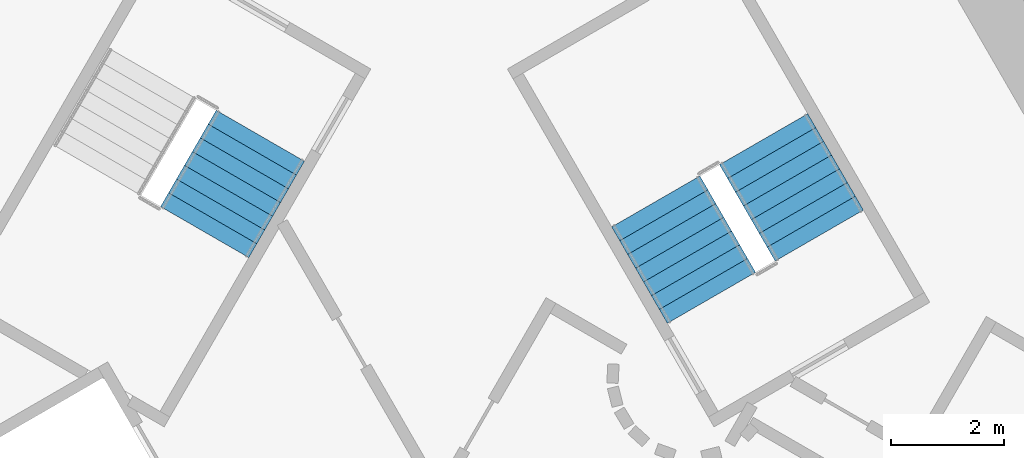
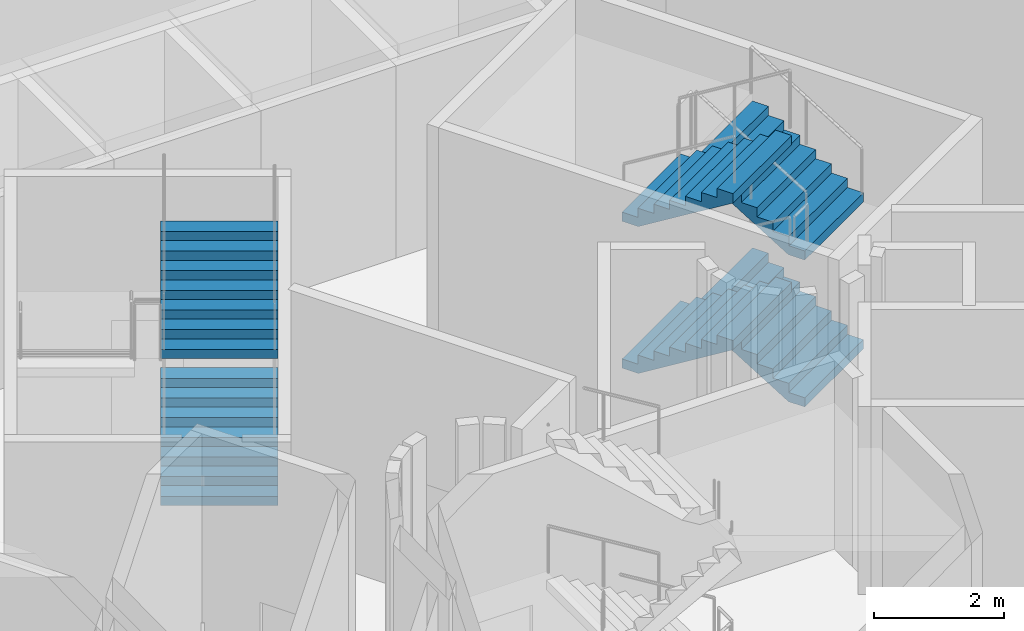
# One storey, part 16 of 20: 6 stair flights, 2 elements without a shape of their own.
"""IFC4 building model written with IfcOpenShell, lengths in metres."""

import ifcopenshell
import ifcopenshell.guid

model = None  # the IFC model being written
_history = None  # IfcOwnerHistory: only IFC2X3 demands one
_inside = {}  # id of a spatial element -> (the spatial element, [elements in it])
_under = {}  # id of a project, library or spatial element -> (it, [spatial elements below it])
_declared = {}  # id of a project -> (the project, [libraries it declares])
_typed = {}  # id of a type object -> (the type object, [elements of that type])
_made_of = {}  # id of a material, layer set ... -> (it, [elements and type objects made of it])


def new_model(schema):
    """Start an empty IFC model of exactly this schema.

    Asked for "IFC4X3", IfcOpenShell would pick the latest addendum, in which some entities
    have other attributes; the version numbers below select the first issue.
    IFC2X3 requires an IfcOwnerHistory on every rooted entity: one is made here for all.
    """
    global model, _history
    if schema == "IFC4X3":
        model = ifcopenshell.file(schema_version=(4, 3, 0, 0))
    else:
        model = ifcopenshell.file(schema=schema)
    _inside.clear()
    _under.clear()
    _declared.clear()
    _typed.clear()
    _made_of.clear()
    _history = None
    if model.schema == "IFC2X3":
        org = make("IfcOrganization", Name="unknown")
        user = make(
            "IfcPersonAndOrganization",
            ThePerson=make("IfcPerson", FamilyName="unknown"),
            TheOrganization=org,
        )
        app = make(
            "IfcApplication",
            ApplicationDeveloper=org,
            Version="unknown",
            ApplicationFullName="unknown",
            ApplicationIdentifier="unknown",
        )
        _history = make(
            "IfcOwnerHistory",
            OwningUser=user,
            OwningApplication=app,
            ChangeAction="ADDED",
            CreationDate=0,
        )
    return model


def make(cls, **values):
    """One entity of the class cls with the attributes given. An attribute that is None is left unset."""
    return model.create_entity(
        cls, **{name: value for name, value in values.items() if value is not None}
    )


def rooted(cls, **values):
    """An entity with a GlobalId (a new one), such as an element, a storey or a relation."""
    return make(cls, GlobalId=ifcopenshell.guid.new(), OwnerHistory=_history, **values)


def si_unit(unit_type, name, prefix=None):
    """IfcSIUnit, for example si_unit("LENGTHUNIT", "METRE", prefix="MILLI")."""
    return make("IfcSIUnit", UnitType=unit_type, Prefix=prefix, Name=name)


def assignment(units):
    """IfcUnitAssignment: the units of a project."""
    return None if units is None else make("IfcUnitAssignment", Units=units)


def point(xyz):
    """IfcCartesianPoint."""
    return None if xyz is None else make("IfcCartesianPoint", Coordinates=xyz)


def direction(xyz):
    """IfcDirection."""
    return None if xyz is None else make("IfcDirection", DirectionRatios=xyz)


def frame(location, z_axis=None, x_axis=None):
    """IfcAxis2Placement3D, a coordinate frame: its origin and axes. An axis left out is left unset."""
    return make(
        "IfcAxis2Placement3D",
        Location=point(location),
        Axis=direction(z_axis),
        RefDirection=direction(x_axis),
    )


def origin():
    """The frame at (0, 0, 0) with its axes left unset."""
    return frame((0.0, 0.0, 0.0))


def place(relative_to, where):
    """IfcLocalPlacement: puts the frame where relative to a parent placement (None: the world)."""
    return make(
        "IfcLocalPlacement", PlacementRelTo=relative_to, RelativePlacement=where
    )


def context(
    kind, dimensions, precision=None, world=None, true_north=None, identifier=None
):
    """IfcGeometricRepresentationContext, for example the 3D "Model" context."""
    return make(
        "IfcGeometricRepresentationContext",
        ContextIdentifier=identifier,
        ContextType=kind,
        CoordinateSpaceDimension=dimensions,
        Precision=precision,
        WorldCoordinateSystem=world,
        TrueNorth=true_north,
    )


def subcontext(parent, identifier, kind, view, scale=None):
    """IfcGeometricRepresentationSubContext, for example "Body" below "Model"."""
    return make(
        "IfcGeometricRepresentationSubContext",
        ContextIdentifier=identifier,
        ContextType=kind,
        ParentContext=parent,
        TargetScale=scale,
        TargetView=view,
    )


def project(units=None, contexts=None):
    """IfcProject with its units and contexts."""
    return rooted(
        "IfcProject",
        Name="project",
        RepresentationContexts=contexts,
        UnitsInContext=assignment(units),
    )


def spatial(cls, under=None, at=None, **own):
    """A site, building, storey or space (cls), placed at a placement, below another one or the project."""
    s = rooted(cls, ObjectPlacement=at, **own)
    if under is not None:
        _under.setdefault(under.id(), (under, []))[1].append(s)
    return s


def point_list(points):
    """IfcCartesianPointList2D or 3D."""
    cls = (
        "IfcCartesianPointList2D" if len(points[0]) == 2 else "IfcCartesianPointList3D"
    )
    return make(cls, CoordList=points)


def triangles(points, corners, closed=None, point_numbers=None):
    """IfcTriangulatedFaceSet: each triangle names its three corners, points numbered from 1."""
    return make(
        "IfcTriangulatedFaceSet",
        Coordinates=point_list(points),
        Closed=closed,
        CoordIndex=corners,
        PnIndex=point_numbers,
    )


def shape(context_of_items, identifier, shape_type, items):
    """IfcShapeRepresentation: the items that make up one representation, for example the "Body"."""
    return make(
        "IfcShapeRepresentation",
        ContextOfItems=context_of_items,
        RepresentationIdentifier=identifier,
        RepresentationType=shape_type,
        Items=items,
    )


def material(Name=None, Category=None):
    """IfcMaterial."""
    return make("IfcMaterial", Name=Name, Category=Category)


def made_of(thing, what):
    """Note that an element or type object is made of a material, layer set ...; save() writes the relation."""
    if what is not None:
        _made_of.setdefault(what.id(), (what, []))[1].append(thing)
    return thing


def type_object(cls, material=None, **own):
    """A type object (cls), such as IfcWallType, which elements share."""
    return made_of(rooted(cls, **own), material)


def element(
    cls,
    number,
    at=None,
    inside=None,
    cuts=None,
    type_object=None,
    material=None,
    context=None,
    identifier="Body",
    shape_type=None,
    held_by="IfcProductDefinitionShape",
    body=None,
    shapes=None,
    **own,
):
    """One element of the class cls, such as IfcWall. Its Tag is "e" and its number.

    at: its placement. inside: the storey or other place that contains it. cuts: it is an
    opening in that element (IfcRelVoidsElement). A single representation is given by context,
    identifier, shape_type and body (its items); several are given by shapes. held_by: the class
    of the entity that holds the representations. save() writes the other relations.
    """
    e = rooted(cls, Tag="e%d" % number, ObjectPlacement=at, **own)
    if body is not None:
        shapes = [shape(context, identifier, shape_type, body)]
    if shapes is not None:
        e.Representation = make(held_by, Representations=shapes)
    if inside is not None:
        _inside.setdefault(inside.id(), (inside, []))[1].append(e)
    if cuts is not None:
        rooted(
            "IfcRelVoidsElement", RelatingBuildingElement=cuts, RelatedOpeningElement=e
        )
    if type_object is not None:
        _typed.setdefault(type_object.id(), (type_object, []))[1].append(e)
    return made_of(e, material)


def aggregate(whole, parts):
    """IfcRelAggregates: a whole, such as a stair, and the parts it consists of."""
    return rooted("IfcRelAggregates", RelatingObject=whole, RelatedObjects=parts)


def save(model, path):
    """Write the relations noted so far, then the file.

    IfcRelAggregates (storeys below a building ...), IfcRelContainedInSpatialStructure (elements
    in a storey), IfcRelDefinesByType, IfcRelAssociatesMaterial and IfcRelDeclares: one each for
    every whole, place, type object, material and project.
    """
    for whole, parts in _under.values():
        aggregate(whole, parts)
    for where, things in _inside.values():
        rooted(
            "IfcRelContainedInSpatialStructure",
            RelatedElements=things,
            RelatingStructure=where,
        )
    for kind, things in _typed.values():
        rooted("IfcRelDefinesByType", RelatedObjects=things, RelatingType=kind)
    for what, things in _made_of.values():
        rooted("IfcRelAssociatesMaterial", RelatedObjects=things, RelatingMaterial=what)
    for by, libraries in _declared.values():
        rooted("IfcRelDeclares", RelatingContext=by, RelatedDefinitions=libraries)
    model.write(path)


model = new_model("IFC4")

# Units and contexts
model_context = context("Model", 3, precision=1e-05, world=origin(), true_north=direction((0.0, 1.0)))
body_context = subcontext(model_context, "Body", "Model", "MODEL_VIEW")
ifc_project = project(units=[si_unit("LENGTHUNIT", "METRE"), si_unit("AREAUNIT", "SQUARE_METRE"), si_unit("VOLUMEUNIT", "CUBIC_METRE"), si_unit("PLANEANGLEUNIT", "RADIAN"), si_unit("MASSUNIT", "GRAM", prefix="KILO")], contexts=[model_context])

# Site, building, storey
site_placement = place(None, origin())
site = spatial("IfcSite", under=ifc_project, at=site_placement, CompositionType="ELEMENT")
building_placement = place(site_placement, origin())
building = spatial("IfcBuilding", under=site, at=building_placement, Name="Entoto Arch Interchange Tower", CompositionType="ELEMENT")
storey_placement = place(building_placement, frame((0.0, 0.0, -5.5)))
storey = spatial("IfcBuildingStorey", under=building, at=storey_placement, Name="B1", CompositionType="ELEMENT", Elevation=-5.5)

# Stair, stair flights
ifc_material = material(Name="Concrete C40/50", Category="concrete")
stair_type = type_object("IfcStairType", Name="EXIT STAIR RC 1800", PredefinedType="HALF_TURN_STAIR", material=ifc_material)
stair_1_placement = place(storey_placement, origin())
stair_1 = element("IfcStair", 1, at=stair_1_placement, inside=storey, type_object=stair_type, Name="B1 Exit stair NE", PredefinedType="HALF_TURN_STAIR")
stair_flight_type = type_object("IfcStairFlightType", Name="EXIT STAIR FLIGHT RC 1800", PredefinedType="STRAIGHT", material=ifc_material)
stair_flight_1_placement = place(storey_placement, frame((6.7138671875, 4.470947265625, 0.0), z_axis=(0.0, 0.0, 1.0), x_axis=(-0.5, 0.866025403784, 0.0)))
stair_flight_1 = element("IfcStairFlight", 2, at=stair_flight_1_placement, type_object=stair_flight_type, Name="ST-NE flight 1", NumberOfRisers=8, NumberOfTreads=7, PredefinedType="STRAIGHT", RiserHeight=0.171875, TreadLength=0.28, context=body_context, shape_type="Tessellation", body=[
    triangles([(-0.003, -0.900024, 0.0), (-0.003, -0.900024, 0.171875), (0.28, -0.900024, 0.171875), (0.28, -0.900024, 0.34375), (0.56, -0.900024, 0.34375), (0.56, -0.900024, 0.515625), (0.84, -0.900024, 0.515625), (0.84, -0.900024, 0.6875), (1.12, -0.900024, 0.6875), (1.12, -0.900024, 0.859375), (1.4, -0.900024, 0.859375), (1.4, -0.900024, 1.03125), (1.68, -0.900024, 1.03125), (1.68, -0.900024, 1.203125), (1.96, -0.900024, 1.203125), (1.963, -0.900024, 1.203125), (1.963, -0.900024, 1.029076), (0.286542, -0.900024, 0.0), (-0.003, 0.900024, 0.0), (-0.003, 0.900024, 0.171875), (0.28, 0.900024, 0.171875), (0.28, 0.900024, 0.34375), (0.56, 0.900024, 0.34375), (0.56, 0.900024, 0.515625), (0.84, 0.900024, 0.515625), (0.84, 0.900024, 0.6875), (1.12, 0.900024, 0.6875), (1.12, 0.900024, 0.859375), (1.4, 0.900024, 0.859375), (1.4, 0.900024, 1.03125), (1.68, 0.900024, 1.03125), (1.68, 0.900024, 1.203125), (1.96, 0.900024, 1.203125), (1.963, 0.900024, 1.203125), (1.963, 0.900024, 1.029076), (0.286542, 0.900024, 0.0), (-0.003, -0.450012, 0.0), (-0.003, -0.450012, 0.171875), (-0.003, 0.0, 0.0), (-0.003, 0.0, 0.171875), (-0.003, 0.450012, 0.0), (-0.003, 0.450012, 0.171875), (0.28, -0.450012, 0.171875), (0.28, 0.0, 0.171875), (0.28, 0.450012, 0.171875), (0.28, -0.450012, 0.34375), (0.28, 0.0, 0.34375), (0.28, 0.450012, 0.34375), (0.56, -0.450012, 0.34375), (0.56, 0.0, 0.34375), (0.56, 0.450012, 0.34375), (0.56, -0.450012, 0.515625), (0.56, 0.0, 0.515625), (0.56, 0.450012, 0.515625), (0.84, -0.450012, 0.515625), (0.84, 0.0, 0.515625), (0.84, 0.450012, 0.515625), (0.84, -0.450012, 0.6875), (0.84, 0.0, 0.6875), (0.84, 0.450012, 0.6875), (1.12, -0.450012, 0.6875), (1.12, 0.0, 0.6875), (1.12, 0.450012, 0.6875), (1.12, -0.450012, 0.859375), (1.12, 0.0, 0.859375), (1.12, 0.450012, 0.859375), (1.4, -0.450012, 0.859375), (1.4, 0.0, 0.859375), (1.4, 0.450012, 0.859375), (1.4, -0.450012, 1.03125), (1.4, 0.0, 1.03125), (1.4, 0.450012, 1.03125), (1.68, -0.450012, 1.03125), (1.68, 0.0, 1.03125), (1.68, 0.450012, 1.03125), (1.68, -0.450012, 1.203125), (1.68, 0.0, 1.203125), (1.68, 0.450012, 1.203125), (1.96, -0.450012, 1.203125), (1.96, 0.0, 1.203125), (1.96, 0.450012, 1.203125), (1.963, -0.450012, 1.203125), (1.963, 0.0, 1.203125), (1.963, 0.450012, 1.203125), (1.963, -0.450012, 1.029076), (1.963, 0.0, 1.029076), (1.963, 0.450012, 1.029076), (0.286542, -0.450012, 0.0), (0.286542, 0.0, 0.0), (0.286542, 0.450012, 0.0)], [[1, 18, 17], [17, 16, 15], [17, 15, 14], [17, 14, 13], [17, 13, 12], [17, 12, 11], [11, 10, 9], [17, 11, 9], [9, 8, 7], [17, 9, 7], [7, 6, 5], [17, 7, 5], [5, 4, 3], [17, 5, 3], [1, 17, 3], [3, 2, 1], [19, 35, 36], [35, 33, 34], [35, 32, 33], [35, 31, 32], [35, 30, 31], [35, 29, 30], [29, 27, 28], [35, 27, 29], [27, 25, 26], [35, 25, 27], [25, 23, 24], [35, 23, 25], [23, 21, 22], [35, 21, 23], [19, 21, 35], [21, 19, 20], [1, 2, 38], [1, 38, 37], [37, 38, 40], [37, 40, 39], [39, 40, 42], [39, 42, 41], [41, 42, 20], [41, 20, 19], [2, 3, 43], [2, 43, 38], [38, 43, 44], [38, 44, 40], [40, 44, 45], [40, 45, 42], [42, 45, 21], [42, 21, 20], [3, 4, 46], [3, 46, 43], [43, 46, 47], [43, 47, 44], [44, 47, 48], [44, 48, 45], [45, 48, 22], [45, 22, 21], [4, 5, 49], [4, 49, 46], [46, 49, 50], [46, 50, 47], [47, 50, 51], [47, 51, 48], [48, 51, 23], [48, 23, 22], [5, 6, 52], [5, 52, 49], [49, 52, 53], [49, 53, 50], [50, 53, 54], [50, 54, 51], [51, 54, 24], [51, 24, 23], [6, 7, 55], [6, 55, 52], [52, 55, 56], [52, 56, 53], [53, 56, 57], [53, 57, 54], [54, 57, 25], [54, 25, 24], [7, 8, 58], [7, 58, 55], [55, 58, 59], [55, 59, 56], [56, 59, 60], [56, 60, 57], [57, 60, 26], [57, 26, 25], [8, 9, 61], [8, 61, 58], [58, 61, 62], [58, 62, 59], [59, 62, 63], [59, 63, 60], [60, 63, 27], [60, 27, 26], [9, 10, 64], [9, 64, 61], [61, 64, 65], [61, 65, 62], [62, 65, 66], [62, 66, 63], [63, 66, 28], [63, 28, 27], [10, 11, 67], [10, 67, 64], [64, 67, 68], [64, 68, 65], [65, 68, 69], [65, 69, 66], [66, 69, 29], [66, 29, 28], [11, 12, 70], [11, 70, 67], [67, 70, 71], [67, 71, 68], [68, 71, 72], [68, 72, 69], [69, 72, 30], [69, 30, 29], [12, 13, 73], [12, 73, 70], [70, 73, 74], [70, 74, 71], [71, 74, 75], [71, 75, 72], [72, 75, 31], [72, 31, 30], [13, 14, 76], [13, 76, 73], [73, 76, 77], [73, 77, 74], [74, 77, 78], [74, 78, 75], [75, 78, 32], [75, 32, 31], [14, 15, 79], [14, 79, 76], [76, 79, 80], [76, 80, 77], [77, 80, 81], [77, 81, 78], [78, 81, 33], [78, 33, 32], [15, 16, 82], [15, 82, 79], [79, 82, 83], [79, 83, 80], [80, 83, 84], [80, 84, 81], [81, 84, 34], [81, 34, 33], [16, 17, 85], [16, 85, 82], [82, 85, 86], [82, 86, 83], [83, 86, 87], [83, 87, 84], [84, 87, 35], [84, 35, 34], [17, 18, 88], [17, 88, 85], [85, 88, 89], [85, 89, 86], [86, 89, 90], [86, 90, 87], [87, 90, 36], [87, 36, 35], [18, 1, 37], [18, 37, 88], [88, 37, 39], [88, 39, 89], [89, 39, 41], [89, 41, 90], [90, 41, 19], [90, 19, 36]], closed=True),
])
stair_flight_2_placement = place(storey_placement, frame((3.82861328125, 5.068359375, 1.375), z_axis=(0.0, 0.0, 1.0), x_axis=(0.5, -0.866025403784, 0.0)))
stair_flight_2 = element("IfcStairFlight", 3, at=stair_flight_2_placement, type_object=stair_flight_type, Name="ST-NE flight 2", NumberOfRisers=8, NumberOfTreads=7, PredefinedType="STRAIGHT", RiserHeight=0.171875, TreadLength=0.28, context=body_context, shape_type="Tessellation", body=[
    triangles([(-0.003, -0.900024, 0.0), (-0.003, -0.900024, 0.171875), (0.28, -0.900024, 0.171875), (0.28, -0.900024, 0.34375), (0.56, -0.900024, 0.34375), (0.56, -0.900024, 0.515625), (0.84, -0.900024, 0.515625), (0.84, -0.900024, 0.6875), (1.12, -0.900024, 0.6875), (1.12, -0.900024, 0.859375), (1.4, -0.900024, 0.859375), (1.4, -0.900024, 1.03125), (1.68, -0.900024, 1.03125), (1.68, -0.900024, 1.203125), (1.96, -0.900024, 1.203125), (1.963, -0.900024, 1.203125), (1.963, -0.900024, 1.029076), (0.286542, -0.900024, 0.0), (-0.003, 0.900024, 0.0), (-0.003, 0.900024, 0.171875), (0.28, 0.900024, 0.171875), (0.28, 0.900024, 0.34375), (0.56, 0.900024, 0.34375), (0.56, 0.900024, 0.515625), (0.84, 0.900024, 0.515625), (0.84, 0.900024, 0.6875), (1.12, 0.900024, 0.6875), (1.12, 0.900024, 0.859375), (1.4, 0.900024, 0.859375), (1.4, 0.900024, 1.03125), (1.68, 0.900024, 1.03125), (1.68, 0.900024, 1.203125), (1.96, 0.900024, 1.203125), (1.963, 0.900024, 1.203125), (1.963, 0.900024, 1.029076), (0.286542, 0.900024, 0.0), (-0.003, -0.450012, 0.0), (-0.003, -0.450012, 0.171875), (-0.003, 0.0, 0.0), (-0.003, 0.0, 0.171875), (-0.003, 0.450012, 0.0), (-0.003, 0.450012, 0.171875), (0.28, -0.450012, 0.171875), (0.28, 0.0, 0.171875), (0.28, 0.450012, 0.171875), (0.28, -0.450012, 0.34375), (0.28, 0.0, 0.34375), (0.28, 0.450012, 0.34375), (0.56, -0.450012, 0.34375), (0.56, 0.0, 0.34375), (0.56, 0.450012, 0.34375), (0.56, -0.450012, 0.515625), (0.56, 0.0, 0.515625), (0.56, 0.450012, 0.515625), (0.84, -0.450012, 0.515625), (0.84, 0.0, 0.515625), (0.84, 0.450012, 0.515625), (0.84, -0.450012, 0.6875), (0.84, 0.0, 0.6875), (0.84, 0.450012, 0.6875), (1.12, -0.450012, 0.6875), (1.12, 0.0, 0.6875), (1.12, 0.450012, 0.6875), (1.12, -0.450012, 0.859375), (1.12, 0.0, 0.859375), (1.12, 0.450012, 0.859375), (1.4, -0.450012, 0.859375), (1.4, 0.0, 0.859375), (1.4, 0.450012, 0.859375), (1.4, -0.450012, 1.03125), (1.4, 0.0, 1.03125), (1.4, 0.450012, 1.03125), (1.68, -0.450012, 1.03125), (1.68, 0.0, 1.03125), (1.68, 0.450012, 1.03125), (1.68, -0.450012, 1.203125), (1.68, 0.0, 1.203125), (1.68, 0.450012, 1.203125), (1.96, -0.450012, 1.203125), (1.96, 0.0, 1.203125), (1.96, 0.450012, 1.203125), (1.963, -0.450012, 1.203125), (1.963, 0.0, 1.203125), (1.963, 0.450012, 1.203125), (1.963, -0.450012, 1.029076), (1.963, 0.0, 1.029076), (1.963, 0.450012, 1.029076), (0.286542, -0.450012, 0.0), (0.286542, 0.0, 0.0), (0.286542, 0.450012, 0.0)], [[1, 18, 17], [17, 16, 15], [17, 15, 14], [17, 14, 13], [17, 13, 12], [17, 12, 11], [11, 10, 9], [17, 11, 9], [9, 8, 7], [17, 9, 7], [7, 6, 5], [17, 7, 5], [5, 4, 3], [17, 5, 3], [1, 17, 3], [3, 2, 1], [19, 35, 36], [35, 33, 34], [35, 32, 33], [35, 31, 32], [35, 30, 31], [35, 29, 30], [29, 27, 28], [35, 27, 29], [27, 25, 26], [35, 25, 27], [25, 23, 24], [35, 23, 25], [23, 21, 22], [35, 21, 23], [19, 21, 35], [21, 19, 20], [1, 2, 38], [1, 38, 37], [37, 38, 40], [37, 40, 39], [39, 40, 42], [39, 42, 41], [41, 42, 20], [41, 20, 19], [2, 3, 43], [2, 43, 38], [38, 43, 44], [38, 44, 40], [40, 44, 45], [40, 45, 42], [42, 45, 21], [42, 21, 20], [3, 4, 46], [3, 46, 43], [43, 46, 47], [43, 47, 44], [44, 47, 48], [44, 48, 45], [45, 48, 22], [45, 22, 21], [4, 5, 49], [4, 49, 46], [46, 49, 50], [46, 50, 47], [47, 50, 51], [47, 51, 48], [48, 51, 23], [48, 23, 22], [5, 6, 52], [5, 52, 49], [49, 52, 53], [49, 53, 50], [50, 53, 54], [50, 54, 51], [51, 54, 24], [51, 24, 23], [6, 7, 55], [6, 55, 52], [52, 55, 56], [52, 56, 53], [53, 56, 57], [53, 57, 54], [54, 57, 25], [54, 25, 24], [7, 8, 58], [7, 58, 55], [55, 58, 59], [55, 59, 56], [56, 59, 60], [56, 60, 57], [57, 60, 26], [57, 26, 25], [8, 9, 61], [8, 61, 58], [58, 61, 62], [58, 62, 59], [59, 62, 63], [59, 63, 60], [60, 63, 27], [60, 27, 26], [9, 10, 64], [9, 64, 61], [61, 64, 65], [61, 65, 62], [62, 65, 66], [62, 66, 63], [63, 66, 28], [63, 28, 27], [10, 11, 67], [10, 67, 64], [64, 67, 68], [64, 68, 65], [65, 68, 69], [65, 69, 66], [66, 69, 29], [66, 29, 28], [11, 12, 70], [11, 70, 67], [67, 70, 71], [67, 71, 68], [68, 71, 72], [68, 72, 69], [69, 72, 30], [69, 30, 29], [12, 13, 73], [12, 73, 70], [70, 73, 74], [70, 74, 71], [71, 74, 75], [71, 75, 72], [72, 75, 31], [72, 31, 30], [13, 14, 76], [13, 76, 73], [73, 76, 77], [73, 77, 74], [74, 77, 78], [74, 78, 75], [75, 78, 32], [75, 32, 31], [14, 15, 79], [14, 79, 76], [76, 79, 80], [76, 80, 77], [77, 80, 81], [77, 81, 78], [78, 81, 33], [78, 33, 32], [15, 16, 82], [15, 82, 79], [79, 82, 83], [79, 83, 80], [80, 83, 84], [80, 84, 81], [81, 84, 34], [81, 34, 33], [16, 17, 85], [16, 85, 82], [82, 85, 86], [82, 86, 83], [83, 86, 87], [83, 87, 84], [84, 87, 35], [84, 35, 34], [17, 18, 88], [17, 88, 85], [85, 88, 89], [85, 89, 86], [86, 89, 90], [86, 90, 87], [87, 90, 36], [87, 36, 35], [18, 1, 37], [18, 37, 88], [88, 37, 39], [88, 39, 89], [89, 39, 41], [89, 41, 90], [90, 41, 19], [90, 19, 36]], closed=True),
])
stair_flight_3_placement = place(storey_placement, frame((6.7138671875, 4.470947265625, 2.75), z_axis=(0.0, 0.0, 1.0), x_axis=(-0.5, 0.866025403784, 0.0)))
stair_flight_3 = element("IfcStairFlight", 4, at=stair_flight_3_placement, type_object=stair_flight_type, Name="ST-NE flight 3", NumberOfRisers=8, NumberOfTreads=7, PredefinedType="STRAIGHT", RiserHeight=0.171875, TreadLength=0.28, context=body_context, shape_type="Tessellation", body=[
    triangles([(-0.003, -0.900024, 0.0), (-0.003, -0.900024, 0.171875), (0.28, -0.900024, 0.171875), (0.28, -0.900024, 0.34375), (0.56, -0.900024, 0.34375), (0.56, -0.900024, 0.515625), (0.84, -0.900024, 0.515625), (0.84, -0.900024, 0.6875), (1.12, -0.900024, 0.6875), (1.12, -0.900024, 0.859375), (1.4, -0.900024, 0.859375), (1.4, -0.900024, 1.03125), (1.68, -0.900024, 1.03125), (1.68, -0.900024, 1.203125), (1.96, -0.900024, 1.203125), (1.963, -0.900024, 1.203125), (1.963, -0.900024, 1.029076), (0.286542, -0.900024, 0.0), (-0.003, 0.900024, 0.0), (-0.003, 0.900024, 0.171875), (0.28, 0.900024, 0.171875), (0.28, 0.900024, 0.34375), (0.56, 0.900024, 0.34375), (0.56, 0.900024, 0.515625), (0.84, 0.900024, 0.515625), (0.84, 0.900024, 0.6875), (1.12, 0.900024, 0.6875), (1.12, 0.900024, 0.859375), (1.4, 0.900024, 0.859375), (1.4, 0.900024, 1.03125), (1.68, 0.900024, 1.03125), (1.68, 0.900024, 1.203125), (1.96, 0.900024, 1.203125), (1.963, 0.900024, 1.203125), (1.963, 0.900024, 1.029076), (0.286542, 0.900024, 0.0), (-0.003, -0.450012, 0.0), (-0.003, -0.450012, 0.171875), (-0.003, 0.0, 0.0), (-0.003, 0.0, 0.171875), (-0.003, 0.450012, 0.0), (-0.003, 0.450012, 0.171875), (0.28, -0.450012, 0.171875), (0.28, 0.0, 0.171875), (0.28, 0.450012, 0.171875), (0.28, -0.450012, 0.34375), (0.28, 0.0, 0.34375), (0.28, 0.450012, 0.34375), (0.56, -0.450012, 0.34375), (0.56, 0.0, 0.34375), (0.56, 0.450012, 0.34375), (0.56, -0.450012, 0.515625), (0.56, 0.0, 0.515625), (0.56, 0.450012, 0.515625), (0.84, -0.450012, 0.515625), (0.84, 0.0, 0.515625), (0.84, 0.450012, 0.515625), (0.84, -0.450012, 0.6875), (0.84, 0.0, 0.6875), (0.84, 0.450012, 0.6875), (1.12, -0.450012, 0.6875), (1.12, 0.0, 0.6875), (1.12, 0.450012, 0.6875), (1.12, -0.450012, 0.859375), (1.12, 0.0, 0.859375), (1.12, 0.450012, 0.859375), (1.4, -0.450012, 0.859375), (1.4, 0.0, 0.859375), (1.4, 0.450012, 0.859375), (1.4, -0.450012, 1.03125), (1.4, 0.0, 1.03125), (1.4, 0.450012, 1.03125), (1.68, -0.450012, 1.03125), (1.68, 0.0, 1.03125), (1.68, 0.450012, 1.03125), (1.68, -0.450012, 1.203125), (1.68, 0.0, 1.203125), (1.68, 0.450012, 1.203125), (1.96, -0.450012, 1.203125), (1.96, 0.0, 1.203125), (1.96, 0.450012, 1.203125), (1.963, -0.450012, 1.203125), (1.963, 0.0, 1.203125), (1.963, 0.450012, 1.203125), (1.963, -0.450012, 1.029076), (1.963, 0.0, 1.029076), (1.963, 0.450012, 1.029076), (0.286542, -0.450012, 0.0), (0.286542, 0.0, 0.0), (0.286542, 0.450012, 0.0)], [[1, 18, 17], [17, 16, 15], [17, 15, 14], [17, 14, 13], [17, 13, 12], [17, 12, 11], [11, 10, 9], [17, 11, 9], [9, 8, 7], [17, 9, 7], [7, 6, 5], [17, 7, 5], [5, 4, 3], [17, 5, 3], [1, 17, 3], [3, 2, 1], [19, 35, 36], [35, 33, 34], [35, 32, 33], [35, 31, 32], [35, 30, 31], [35, 29, 30], [29, 27, 28], [35, 27, 29], [27, 25, 26], [35, 25, 27], [25, 23, 24], [35, 23, 25], [23, 21, 22], [35, 21, 23], [19, 21, 35], [21, 19, 20], [1, 2, 38], [1, 38, 37], [37, 38, 40], [37, 40, 39], [39, 40, 42], [39, 42, 41], [41, 42, 20], [41, 20, 19], [2, 3, 43], [2, 43, 38], [38, 43, 44], [38, 44, 40], [40, 44, 45], [40, 45, 42], [42, 45, 21], [42, 21, 20], [3, 4, 46], [3, 46, 43], [43, 46, 47], [43, 47, 44], [44, 47, 48], [44, 48, 45], [45, 48, 22], [45, 22, 21], [4, 5, 49], [4, 49, 46], [46, 49, 50], [46, 50, 47], [47, 50, 51], [47, 51, 48], [48, 51, 23], [48, 23, 22], [5, 6, 52], [5, 52, 49], [49, 52, 53], [49, 53, 50], [50, 53, 54], [50, 54, 51], [51, 54, 24], [51, 24, 23], [6, 7, 55], [6, 55, 52], [52, 55, 56], [52, 56, 53], [53, 56, 57], [53, 57, 54], [54, 57, 25], [54, 25, 24], [7, 8, 58], [7, 58, 55], [55, 58, 59], [55, 59, 56], [56, 59, 60], [56, 60, 57], [57, 60, 26], [57, 26, 25], [8, 9, 61], [8, 61, 58], [58, 61, 62], [58, 62, 59], [59, 62, 63], [59, 63, 60], [60, 63, 27], [60, 27, 26], [9, 10, 64], [9, 64, 61], [61, 64, 65], [61, 65, 62], [62, 65, 66], [62, 66, 63], [63, 66, 28], [63, 28, 27], [10, 11, 67], [10, 67, 64], [64, 67, 68], [64, 68, 65], [65, 68, 69], [65, 69, 66], [66, 69, 29], [66, 29, 28], [11, 12, 70], [11, 70, 67], [67, 70, 71], [67, 71, 68], [68, 71, 72], [68, 72, 69], [69, 72, 30], [69, 30, 29], [12, 13, 73], [12, 73, 70], [70, 73, 74], [70, 74, 71], [71, 74, 75], [71, 75, 72], [72, 75, 31], [72, 31, 30], [13, 14, 76], [13, 76, 73], [73, 76, 77], [73, 77, 74], [74, 77, 78], [74, 78, 75], [75, 78, 32], [75, 32, 31], [14, 15, 79], [14, 79, 76], [76, 79, 80], [76, 80, 77], [77, 80, 81], [77, 81, 78], [78, 81, 33], [78, 33, 32], [15, 16, 82], [15, 82, 79], [79, 82, 83], [79, 83, 80], [80, 83, 84], [80, 84, 81], [81, 84, 34], [81, 34, 33], [16, 17, 85], [16, 85, 82], [82, 85, 86], [82, 86, 83], [83, 86, 87], [83, 87, 84], [84, 87, 35], [84, 35, 34], [17, 18, 88], [17, 88, 85], [85, 88, 89], [85, 89, 86], [86, 89, 90], [86, 90, 87], [87, 90, 36], [87, 36, 35], [18, 1, 37], [18, 37, 88], [88, 37, 39], [88, 39, 89], [89, 39, 41], [89, 41, 90], [90, 41, 19], [90, 19, 36]], closed=True),
])
stair_flight_4_placement = place(storey_placement, frame((3.82861328125, 5.068359375, 4.125), z_axis=(0.0, 0.0, 1.0), x_axis=(0.5, -0.866025403784, 0.0)))
stair_flight_4 = element("IfcStairFlight", 5, at=stair_flight_4_placement, type_object=stair_flight_type, Name="ST-NE flight 4", NumberOfRisers=8, NumberOfTreads=7, PredefinedType="STRAIGHT", RiserHeight=0.171875, TreadLength=0.28, context=body_context, shape_type="Tessellation", body=[
    triangles([(-0.003, -0.900024, 0.0), (-0.003, -0.900024, 0.171875), (0.28, -0.900024, 0.171875), (0.28, -0.900024, 0.34375), (0.56, -0.900024, 0.34375), (0.56, -0.900024, 0.515625), (0.84, -0.900024, 0.515625), (0.84, -0.900024, 0.6875), (1.12, -0.900024, 0.6875), (1.12, -0.900024, 0.859375), (1.4, -0.900024, 0.859375), (1.4, -0.900024, 1.03125), (1.68, -0.900024, 1.03125), (1.68, -0.900024, 1.203125), (1.96, -0.900024, 1.203125), (1.963, -0.900024, 1.203125), (1.963, -0.900024, 1.029076), (0.286542, -0.900024, 0.0), (-0.003, 0.900024, 0.0), (-0.003, 0.900024, 0.171875), (0.28, 0.900024, 0.171875), (0.28, 0.900024, 0.34375), (0.56, 0.900024, 0.34375), (0.56, 0.900024, 0.515625), (0.84, 0.900024, 0.515625), (0.84, 0.900024, 0.6875), (1.12, 0.900024, 0.6875), (1.12, 0.900024, 0.859375), (1.4, 0.900024, 0.859375), (1.4, 0.900024, 1.03125), (1.68, 0.900024, 1.03125), (1.68, 0.900024, 1.203125), (1.96, 0.900024, 1.203125), (1.963, 0.900024, 1.203125), (1.963, 0.900024, 1.029076), (0.286542, 0.900024, 0.0), (-0.003, -0.450012, 0.0), (-0.003, -0.450012, 0.171875), (-0.003, 0.0, 0.0), (-0.003, 0.0, 0.171875), (-0.003, 0.450012, 0.0), (-0.003, 0.450012, 0.171875), (0.28, -0.450012, 0.171875), (0.28, 0.0, 0.171875), (0.28, 0.450012, 0.171875), (0.28, -0.450012, 0.34375), (0.28, 0.0, 0.34375), (0.28, 0.450012, 0.34375), (0.56, -0.450012, 0.34375), (0.56, 0.0, 0.34375), (0.56, 0.450012, 0.34375), (0.56, -0.450012, 0.515625), (0.56, 0.0, 0.515625), (0.56, 0.450012, 0.515625), (0.84, -0.450012, 0.515625), (0.84, 0.0, 0.515625), (0.84, 0.450012, 0.515625), (0.84, -0.450012, 0.6875), (0.84, 0.0, 0.6875), (0.84, 0.450012, 0.6875), (1.12, -0.450012, 0.6875), (1.12, 0.0, 0.6875), (1.12, 0.450012, 0.6875), (1.12, -0.450012, 0.859375), (1.12, 0.0, 0.859375), (1.12, 0.450012, 0.859375), (1.4, -0.450012, 0.859375), (1.4, 0.0, 0.859375), (1.4, 0.450012, 0.859375), (1.4, -0.450012, 1.03125), (1.4, 0.0, 1.03125), (1.4, 0.450012, 1.03125), (1.68, -0.450012, 1.03125), (1.68, 0.0, 1.03125), (1.68, 0.450012, 1.03125), (1.68, -0.450012, 1.203125), (1.68, 0.0, 1.203125), (1.68, 0.450012, 1.203125), (1.96, -0.450012, 1.203125), (1.96, 0.0, 1.203125), (1.96, 0.450012, 1.203125), (1.963, -0.450012, 1.203125), (1.963, 0.0, 1.203125), (1.963, 0.450012, 1.203125), (1.963, -0.450012, 1.029076), (1.963, 0.0, 1.029076), (1.963, 0.450012, 1.029076), (0.286542, -0.450012, 0.0), (0.286542, 0.0, 0.0), (0.286542, 0.450012, 0.0)], [[1, 18, 17], [17, 16, 15], [17, 15, 14], [17, 14, 13], [17, 13, 12], [17, 12, 11], [11, 10, 9], [17, 11, 9], [9, 8, 7], [17, 9, 7], [7, 6, 5], [17, 7, 5], [5, 4, 3], [17, 5, 3], [1, 17, 3], [3, 2, 1], [19, 35, 36], [35, 33, 34], [35, 32, 33], [35, 31, 32], [35, 30, 31], [35, 29, 30], [29, 27, 28], [35, 27, 29], [27, 25, 26], [35, 25, 27], [25, 23, 24], [35, 23, 25], [23, 21, 22], [35, 21, 23], [19, 21, 35], [21, 19, 20], [1, 2, 38], [1, 38, 37], [37, 38, 40], [37, 40, 39], [39, 40, 42], [39, 42, 41], [41, 42, 20], [41, 20, 19], [2, 3, 43], [2, 43, 38], [38, 43, 44], [38, 44, 40], [40, 44, 45], [40, 45, 42], [42, 45, 21], [42, 21, 20], [3, 4, 46], [3, 46, 43], [43, 46, 47], [43, 47, 44], [44, 47, 48], [44, 48, 45], [45, 48, 22], [45, 22, 21], [4, 5, 49], [4, 49, 46], [46, 49, 50], [46, 50, 47], [47, 50, 51], [47, 51, 48], [48, 51, 23], [48, 23, 22], [5, 6, 52], [5, 52, 49], [49, 52, 53], [49, 53, 50], [50, 53, 54], [50, 54, 51], [51, 54, 24], [51, 24, 23], [6, 7, 55], [6, 55, 52], [52, 55, 56], [52, 56, 53], [53, 56, 57], [53, 57, 54], [54, 57, 25], [54, 25, 24], [7, 8, 58], [7, 58, 55], [55, 58, 59], [55, 59, 56], [56, 59, 60], [56, 60, 57], [57, 60, 26], [57, 26, 25], [8, 9, 61], [8, 61, 58], [58, 61, 62], [58, 62, 59], [59, 62, 63], [59, 63, 60], [60, 63, 27], [60, 27, 26], [9, 10, 64], [9, 64, 61], [61, 64, 65], [61, 65, 62], [62, 65, 66], [62, 66, 63], [63, 66, 28], [63, 28, 27], [10, 11, 67], [10, 67, 64], [64, 67, 68], [64, 68, 65], [65, 68, 69], [65, 69, 66], [66, 69, 29], [66, 29, 28], [11, 12, 70], [11, 70, 67], [67, 70, 71], [67, 71, 68], [68, 71, 72], [68, 72, 69], [69, 72, 30], [69, 30, 29], [12, 13, 73], [12, 73, 70], [70, 73, 74], [70, 74, 71], [71, 74, 75], [71, 75, 72], [72, 75, 31], [72, 31, 30], [13, 14, 76], [13, 76, 73], [73, 76, 77], [73, 77, 74], [74, 77, 78], [74, 78, 75], [75, 78, 32], [75, 32, 31], [14, 15, 79], [14, 79, 76], [76, 79, 80], [76, 80, 77], [77, 80, 81], [77, 81, 78], [78, 81, 33], [78, 33, 32], [15, 16, 82], [15, 82, 79], [79, 82, 83], [79, 83, 80], [80, 83, 84], [80, 84, 81], [81, 84, 34], [81, 34, 33], [16, 17, 85], [16, 85, 82], [82, 85, 86], [82, 86, 83], [83, 86, 87], [83, 87, 84], [84, 87, 35], [84, 35, 34], [17, 18, 88], [17, 88, 85], [85, 88, 89], [85, 89, 86], [86, 89, 90], [86, 90, 87], [87, 90, 36], [87, 36, 35], [18, 1, 37], [18, 37, 88], [88, 37, 39], [88, 39, 89], [89, 39, 41], [89, 41, 90], [90, 41, 19], [90, 19, 36]], closed=True),
])
aggregate(stair_1, [stair_flight_1, stair_flight_2, stair_flight_3, stair_flight_4])

stair_2_placement = place(storey_placement, origin())
stair_2 = element("IfcStair", 6, at=stair_2_placement, inside=storey, type_object=stair_type, Name="B1 Exit stair NW", PredefinedType="HALF_TURN_STAIR")
stair_flight_5_placement = place(storey_placement, frame((-4.138671875, 4.531494140625, 1.375), z_axis=(0.0, 0.0, 1.0), x_axis=(0.5, 0.866025403784, 0.0)))
stair_flight_5 = element("IfcStairFlight", 7, at=stair_flight_5_placement, type_object=stair_flight_type, Name="ST-NW flight 2", NumberOfRisers=8, NumberOfTreads=7, PredefinedType="STRAIGHT", RiserHeight=0.171875, TreadLength=0.28, context=body_context, shape_type="Tessellation", body=[
    triangles([(-0.003, -0.900024, 0.0), (-0.003, -0.900024, 0.171875), (0.28, -0.900024, 0.171875), (0.28, -0.900024, 0.34375), (0.56, -0.900024, 0.34375), (0.56, -0.900024, 0.515625), (0.84, -0.900024, 0.515625), (0.84, -0.900024, 0.6875), (1.12, -0.900024, 0.6875), (1.12, -0.900024, 0.859375), (1.4, -0.900024, 0.859375), (1.4, -0.900024, 1.03125), (1.68, -0.900024, 1.03125), (1.68, -0.900024, 1.203125), (1.96, -0.900024, 1.203125), (1.963, -0.900024, 1.203125), (1.963, -0.900024, 1.029076), (0.286542, -0.900024, 0.0), (-0.003, 0.900024, 0.0), (-0.003, 0.900024, 0.171875), (0.28, 0.900024, 0.171875), (0.28, 0.900024, 0.34375), (0.56, 0.900024, 0.34375), (0.56, 0.900024, 0.515625), (0.84, 0.900024, 0.515625), (0.84, 0.900024, 0.6875), (1.12, 0.900024, 0.6875), (1.12, 0.900024, 0.859375), (1.4, 0.900024, 0.859375), (1.4, 0.900024, 1.03125), (1.68, 0.900024, 1.03125), (1.68, 0.900024, 1.203125), (1.96, 0.900024, 1.203125), (1.963, 0.900024, 1.203125), (1.963, 0.900024, 1.029076), (0.286542, 0.900024, 0.0), (-0.003, -0.450012, 0.0), (-0.003, -0.450012, 0.171875), (-0.003, 0.0, 0.0), (-0.003, 0.0, 0.171875), (-0.003, 0.450012, 0.0), (-0.003, 0.450012, 0.171875), (0.28, -0.450012, 0.171875), (0.28, 0.0, 0.171875), (0.28, 0.450012, 0.171875), (0.28, -0.450012, 0.34375), (0.28, 0.0, 0.34375), (0.28, 0.450012, 0.34375), (0.56, -0.450012, 0.34375), (0.56, 0.0, 0.34375), (0.56, 0.450012, 0.34375), (0.56, -0.450012, 0.515625), (0.56, 0.0, 0.515625), (0.56, 0.450012, 0.515625), (0.84, -0.450012, 0.515625), (0.84, 0.0, 0.515625), (0.84, 0.450012, 0.515625), (0.84, -0.450012, 0.6875), (0.84, 0.0, 0.6875), (0.84, 0.450012, 0.6875), (1.12, -0.450012, 0.6875), (1.12, 0.0, 0.6875), (1.12, 0.450012, 0.6875), (1.12, -0.450012, 0.859375), (1.12, 0.0, 0.859375), (1.12, 0.450012, 0.859375), (1.4, -0.450012, 0.859375), (1.4, 0.0, 0.859375), (1.4, 0.450012, 0.859375), (1.4, -0.450012, 1.03125), (1.4, 0.0, 1.03125), (1.4, 0.450012, 1.03125), (1.68, -0.450012, 1.03125), (1.68, 0.0, 1.03125), (1.68, 0.450012, 1.03125), (1.68, -0.450012, 1.203125), (1.68, 0.0, 1.203125), (1.68, 0.450012, 1.203125), (1.96, -0.450012, 1.203125), (1.96, 0.0, 1.203125), (1.96, 0.450012, 1.203125), (1.963, -0.450012, 1.203125), (1.963, 0.0, 1.203125), (1.963, 0.450012, 1.203125), (1.963, -0.450012, 1.029076), (1.963, 0.0, 1.029076), (1.963, 0.450012, 1.029076), (0.286542, -0.450012, 0.0), (0.286542, 0.0, 0.0), (0.286542, 0.450012, 0.0)], [[1, 18, 17], [17, 16, 15], [17, 15, 14], [17, 14, 13], [17, 13, 12], [17, 12, 11], [11, 10, 9], [17, 11, 9], [9, 8, 7], [17, 9, 7], [7, 6, 5], [17, 7, 5], [5, 4, 3], [17, 5, 3], [1, 17, 3], [3, 2, 1], [19, 35, 36], [35, 33, 34], [35, 32, 33], [35, 31, 32], [35, 30, 31], [35, 29, 30], [29, 27, 28], [35, 27, 29], [27, 25, 26], [35, 25, 27], [25, 23, 24], [35, 23, 25], [23, 21, 22], [35, 21, 23], [19, 21, 35], [21, 19, 20], [1, 2, 38], [1, 38, 37], [37, 38, 40], [37, 40, 39], [39, 40, 42], [39, 42, 41], [41, 42, 20], [41, 20, 19], [2, 3, 43], [2, 43, 38], [38, 43, 44], [38, 44, 40], [40, 44, 45], [40, 45, 42], [42, 45, 21], [42, 21, 20], [3, 4, 46], [3, 46, 43], [43, 46, 47], [43, 47, 44], [44, 47, 48], [44, 48, 45], [45, 48, 22], [45, 22, 21], [4, 5, 49], [4, 49, 46], [46, 49, 50], [46, 50, 47], [47, 50, 51], [47, 51, 48], [48, 51, 23], [48, 23, 22], [5, 6, 52], [5, 52, 49], [49, 52, 53], [49, 53, 50], [50, 53, 54], [50, 54, 51], [51, 54, 24], [51, 24, 23], [6, 7, 55], [6, 55, 52], [52, 55, 56], [52, 56, 53], [53, 56, 57], [53, 57, 54], [54, 57, 25], [54, 25, 24], [7, 8, 58], [7, 58, 55], [55, 58, 59], [55, 59, 56], [56, 59, 60], [56, 60, 57], [57, 60, 26], [57, 26, 25], [8, 9, 61], [8, 61, 58], [58, 61, 62], [58, 62, 59], [59, 62, 63], [59, 63, 60], [60, 63, 27], [60, 27, 26], [9, 10, 64], [9, 64, 61], [61, 64, 65], [61, 65, 62], [62, 65, 66], [62, 66, 63], [63, 66, 28], [63, 28, 27], [10, 11, 67], [10, 67, 64], [64, 67, 68], [64, 68, 65], [65, 68, 69], [65, 69, 66], [66, 69, 29], [66, 29, 28], [11, 12, 70], [11, 70, 67], [67, 70, 71], [67, 71, 68], [68, 71, 72], [68, 72, 69], [69, 72, 30], [69, 30, 29], [12, 13, 73], [12, 73, 70], [70, 73, 74], [70, 74, 71], [71, 74, 75], [71, 75, 72], [72, 75, 31], [72, 31, 30], [13, 14, 76], [13, 76, 73], [73, 76, 77], [73, 77, 74], [74, 77, 78], [74, 78, 75], [75, 78, 32], [75, 32, 31], [14, 15, 79], [14, 79, 76], [76, 79, 80], [76, 80, 77], [77, 80, 81], [77, 81, 78], [78, 81, 33], [78, 33, 32], [15, 16, 82], [15, 82, 79], [79, 82, 83], [79, 83, 80], [80, 83, 84], [80, 84, 81], [81, 84, 34], [81, 34, 33], [16, 17, 85], [16, 85, 82], [82, 85, 86], [82, 86, 83], [83, 86, 87], [83, 87, 84], [84, 87, 35], [84, 35, 34], [17, 18, 88], [17, 88, 85], [85, 88, 89], [85, 89, 86], [86, 89, 90], [86, 90, 87], [87, 90, 36], [87, 36, 35], [18, 1, 37], [18, 37, 88], [88, 37, 39], [88, 39, 89], [89, 39, 41], [89, 41, 90], [90, 41, 19], [90, 19, 36]], closed=True),
])
stair_flight_6_placement = place(storey_placement, frame((-4.138671875, 4.531494140625, 4.125), z_axis=(0.0, 0.0, 1.0), x_axis=(0.5, 0.866025403784, 0.0)))
stair_flight_6 = element("IfcStairFlight", 8, at=stair_flight_6_placement, type_object=stair_flight_type, Name="ST-NW flight 4", NumberOfRisers=8, NumberOfTreads=7, PredefinedType="STRAIGHT", RiserHeight=0.171875, TreadLength=0.28, context=body_context, shape_type="Tessellation", body=[
    triangles([(-0.003, -0.900024, 0.0), (-0.003, -0.900024, 0.171875), (0.28, -0.900024, 0.171875), (0.28, -0.900024, 0.34375), (0.56, -0.900024, 0.34375), (0.56, -0.900024, 0.515625), (0.84, -0.900024, 0.515625), (0.84, -0.900024, 0.6875), (1.12, -0.900024, 0.6875), (1.12, -0.900024, 0.859375), (1.4, -0.900024, 0.859375), (1.4, -0.900024, 1.03125), (1.68, -0.900024, 1.03125), (1.68, -0.900024, 1.203125), (1.96, -0.900024, 1.203125), (1.963, -0.900024, 1.203125), (1.963, -0.900024, 1.029076), (0.286542, -0.900024, 0.0), (-0.003, 0.900024, 0.0), (-0.003, 0.900024, 0.171875), (0.28, 0.900024, 0.171875), (0.28, 0.900024, 0.34375), (0.56, 0.900024, 0.34375), (0.56, 0.900024, 0.515625), (0.84, 0.900024, 0.515625), (0.84, 0.900024, 0.6875), (1.12, 0.900024, 0.6875), (1.12, 0.900024, 0.859375), (1.4, 0.900024, 0.859375), (1.4, 0.900024, 1.03125), (1.68, 0.900024, 1.03125), (1.68, 0.900024, 1.203125), (1.96, 0.900024, 1.203125), (1.963, 0.900024, 1.203125), (1.963, 0.900024, 1.029076), (0.286542, 0.900024, 0.0), (-0.003, -0.450012, 0.0), (-0.003, -0.450012, 0.171875), (-0.003, 0.0, 0.0), (-0.003, 0.0, 0.171875), (-0.003, 0.450012, 0.0), (-0.003, 0.450012, 0.171875), (0.28, -0.450012, 0.171875), (0.28, 0.0, 0.171875), (0.28, 0.450012, 0.171875), (0.28, -0.450012, 0.34375), (0.28, 0.0, 0.34375), (0.28, 0.450012, 0.34375), (0.56, -0.450012, 0.34375), (0.56, 0.0, 0.34375), (0.56, 0.450012, 0.34375), (0.56, -0.450012, 0.515625), (0.56, 0.0, 0.515625), (0.56, 0.450012, 0.515625), (0.84, -0.450012, 0.515625), (0.84, 0.0, 0.515625), (0.84, 0.450012, 0.515625), (0.84, -0.450012, 0.6875), (0.84, 0.0, 0.6875), (0.84, 0.450012, 0.6875), (1.12, -0.450012, 0.6875), (1.12, 0.0, 0.6875), (1.12, 0.450012, 0.6875), (1.12, -0.450012, 0.859375), (1.12, 0.0, 0.859375), (1.12, 0.450012, 0.859375), (1.4, -0.450012, 0.859375), (1.4, 0.0, 0.859375), (1.4, 0.450012, 0.859375), (1.4, -0.450012, 1.03125), (1.4, 0.0, 1.03125), (1.4, 0.450012, 1.03125), (1.68, -0.450012, 1.03125), (1.68, 0.0, 1.03125), (1.68, 0.450012, 1.03125), (1.68, -0.450012, 1.203125), (1.68, 0.0, 1.203125), (1.68, 0.450012, 1.203125), (1.96, -0.450012, 1.203125), (1.96, 0.0, 1.203125), (1.96, 0.450012, 1.203125), (1.963, -0.450012, 1.203125), (1.963, 0.0, 1.203125), (1.963, 0.450012, 1.203125), (1.963, -0.450012, 1.029076), (1.963, 0.0, 1.029076), (1.963, 0.450012, 1.029076), (0.286542, -0.450012, 0.0), (0.286542, 0.0, 0.0), (0.286542, 0.450012, 0.0)], [[1, 18, 17], [17, 16, 15], [17, 15, 14], [17, 14, 13], [17, 13, 12], [17, 12, 11], [11, 10, 9], [17, 11, 9], [9, 8, 7], [17, 9, 7], [7, 6, 5], [17, 7, 5], [5, 4, 3], [17, 5, 3], [1, 17, 3], [3, 2, 1], [19, 35, 36], [35, 33, 34], [35, 32, 33], [35, 31, 32], [35, 30, 31], [35, 29, 30], [29, 27, 28], [35, 27, 29], [27, 25, 26], [35, 25, 27], [25, 23, 24], [35, 23, 25], [23, 21, 22], [35, 21, 23], [19, 21, 35], [21, 19, 20], [1, 2, 38], [1, 38, 37], [37, 38, 40], [37, 40, 39], [39, 40, 42], [39, 42, 41], [41, 42, 20], [41, 20, 19], [2, 3, 43], [2, 43, 38], [38, 43, 44], [38, 44, 40], [40, 44, 45], [40, 45, 42], [42, 45, 21], [42, 21, 20], [3, 4, 46], [3, 46, 43], [43, 46, 47], [43, 47, 44], [44, 47, 48], [44, 48, 45], [45, 48, 22], [45, 22, 21], [4, 5, 49], [4, 49, 46], [46, 49, 50], [46, 50, 47], [47, 50, 51], [47, 51, 48], [48, 51, 23], [48, 23, 22], [5, 6, 52], [5, 52, 49], [49, 52, 53], [49, 53, 50], [50, 53, 54], [50, 54, 51], [51, 54, 24], [51, 24, 23], [6, 7, 55], [6, 55, 52], [52, 55, 56], [52, 56, 53], [53, 56, 57], [53, 57, 54], [54, 57, 25], [54, 25, 24], [7, 8, 58], [7, 58, 55], [55, 58, 59], [55, 59, 56], [56, 59, 60], [56, 60, 57], [57, 60, 26], [57, 26, 25], [8, 9, 61], [8, 61, 58], [58, 61, 62], [58, 62, 59], [59, 62, 63], [59, 63, 60], [60, 63, 27], [60, 27, 26], [9, 10, 64], [9, 64, 61], [61, 64, 65], [61, 65, 62], [62, 65, 66], [62, 66, 63], [63, 66, 28], [63, 28, 27], [10, 11, 67], [10, 67, 64], [64, 67, 68], [64, 68, 65], [65, 68, 69], [65, 69, 66], [66, 69, 29], [66, 29, 28], [11, 12, 70], [11, 70, 67], [67, 70, 71], [67, 71, 68], [68, 71, 72], [68, 72, 69], [69, 72, 30], [69, 30, 29], [12, 13, 73], [12, 73, 70], [70, 73, 74], [70, 74, 71], [71, 74, 75], [71, 75, 72], [72, 75, 31], [72, 31, 30], [13, 14, 76], [13, 76, 73], [73, 76, 77], [73, 77, 74], [74, 77, 78], [74, 78, 75], [75, 78, 32], [75, 32, 31], [14, 15, 79], [14, 79, 76], [76, 79, 80], [76, 80, 77], [77, 80, 81], [77, 81, 78], [78, 81, 33], [78, 33, 32], [15, 16, 82], [15, 82, 79], [79, 82, 83], [79, 83, 80], [80, 83, 84], [80, 84, 81], [81, 84, 34], [81, 34, 33], [16, 17, 85], [16, 85, 82], [82, 85, 86], [82, 86, 83], [83, 86, 87], [83, 87, 84], [84, 87, 35], [84, 35, 34], [17, 18, 88], [17, 88, 85], [85, 88, 89], [85, 89, 86], [86, 89, 90], [86, 90, 87], [87, 90, 36], [87, 36, 35], [18, 1, 37], [18, 37, 88], [88, 37, 39], [88, 39, 89], [89, 39, 41], [89, 41, 90], [90, 41, 19], [90, 19, 36]], closed=True),
])
aggregate(stair_2, [stair_flight_5, stair_flight_6])

save(model, "model.ifc")
